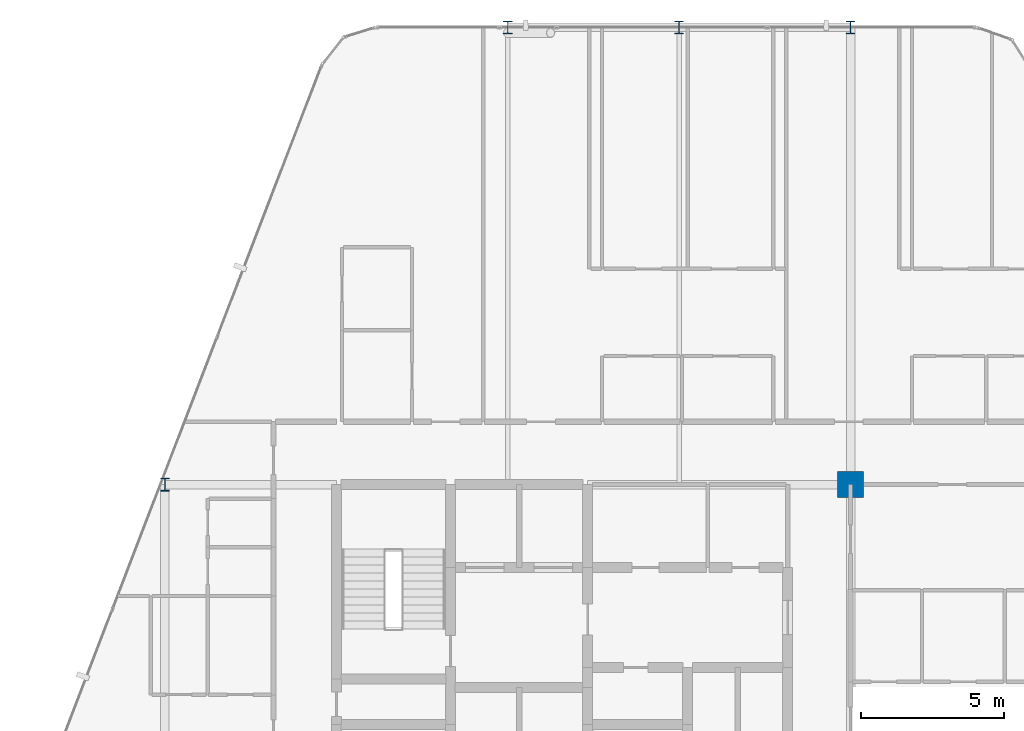
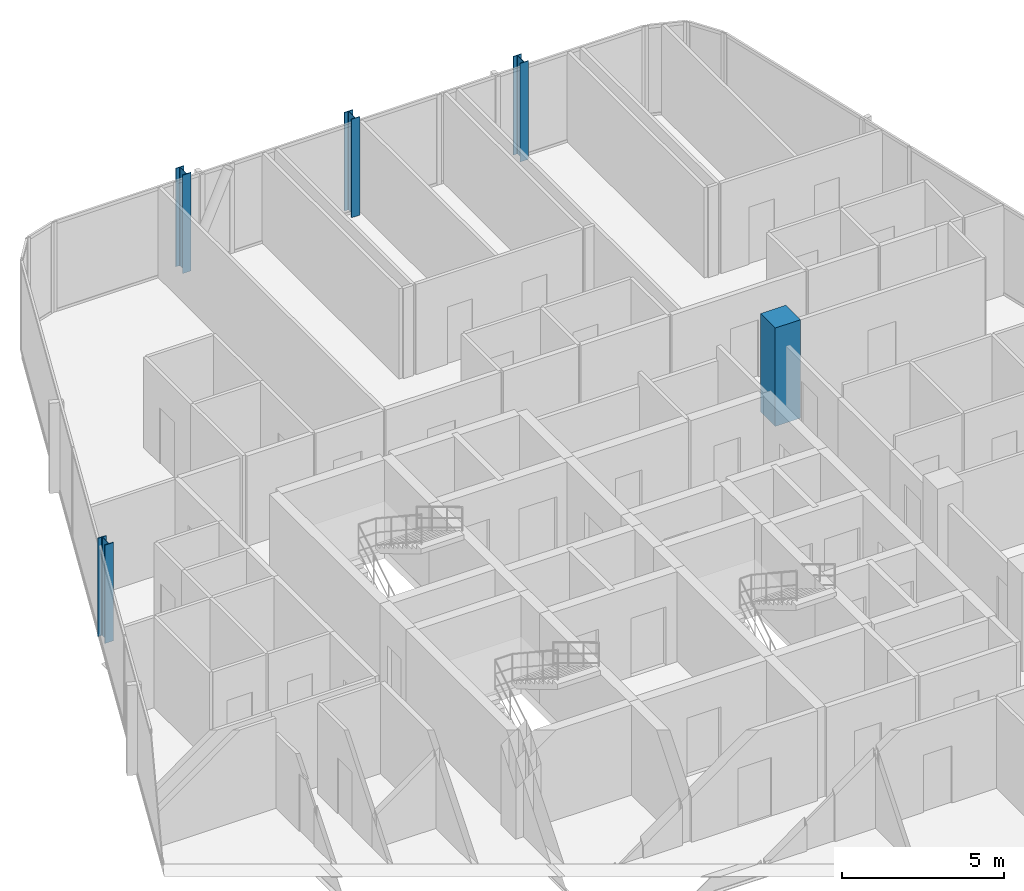
# One storey, part 3 of 29: 5 columns.
"""IFC4 building model written with IfcOpenShell, lengths in metres."""

from ifc_helpers import new_model, si_unit, direction, frame, origin, origin_2d, place, context, subcontext, project, spatial, rectangle, i_section, extrude, material, material_profile, profile_set, type_object, element, save


model = new_model("IFC4")

# Units and contexts
model_context = context("Model", 3, precision=1e-05, world=origin(), true_north=direction((0.0, 1.0)))
body_context = subcontext(model_context, "Body", "Model", "MODEL_VIEW")
ifc_project = project(units=[si_unit("LENGTHUNIT", "METRE"), si_unit("AREAUNIT", "SQUARE_METRE"), si_unit("VOLUMEUNIT", "CUBIC_METRE"), si_unit("PLANEANGLEUNIT", "RADIAN"), si_unit("MASSUNIT", "GRAM", prefix="KILO")], contexts=[model_context])

# Site, building, storey
site_placement = place(None, origin())
site = spatial("IfcSite", under=ifc_project, at=site_placement, CompositionType="ELEMENT")
building_placement = place(site_placement, origin())
building = spatial("IfcBuilding", under=site, at=building_placement, Name="Keshet Zoharim Tower", CompositionType="ELEMENT")
storey_placement = place(building_placement, frame((0.0, 0.0, 195.800048828125)))
storey = spatial("IfcBuildingStorey", under=building, at=storey_placement, Name="L48", CompositionType="ELEMENT", Elevation=195.800048828125)

# Columns
ifc_material_1 = material(Name="Steel S355", Category="steel")
ifc_material_profile_1 = material_profile(ifc_material_1, i_section(OverallWidth=0.300048828125, OverallDepth=0.449951171875, WebThickness=0.013916015625, FlangeThickness=0.02587890625, FilletRadius=0.027099609375, at=origin_2d()), Name="HEB450")
ifc_profile_set_1 = profile_set([ifc_material_profile_1], Name="Steel S355")
column_type_1 = type_object("IfcColumnType", Name="COL-HEB450", PredefinedType="COLUMN", material=ifc_profile_set_1)
for number, where, z_axis, x_axis, name in (
    (1, (9.0, 37.89990234375, 0.0), (0.0, 0.0, 1.0), (1.0, 0.0, 0.0), "L48 Column 2H"),
    (2, (21.0, 53.89990234375, 0.0), (0.0, 0.0, 1.0), (1.0, 0.0, 0.0), "L48 Column 4L"),
    (3, (27.0, 53.89990234375, 0.0), (0.0, 0.0, 1.0), (1.0, 0.0, 0.0), "L48 Column 5L"),
    (4, (33.0, 53.89990234375, 0.0), (0.0, 0.0, 1.0), (1.0, 0.0, 0.0), "L48 Column 6L"),
):
    element("IfcColumn", number, at=place(storey_placement, frame(where, z_axis=z_axis, x_axis=x_axis)), inside=storey, type_object=column_type_1, Name=name, PredefinedType="COLUMN", context=body_context, shape_type="SweptSolid", body=[
        extrude(i_section(OverallWidth=0.300048828125, OverallDepth=0.449951171875, WebThickness=0.013916015625, FlangeThickness=0.02587890625, FilletRadius=0.027099609375, at=origin_2d()), origin(), (0.0, 0.0, 1.0), 3.699951171875),
    ])
ifc_material_2 = material(Name="Concrete C60/75", Category="concrete")
ifc_material_profile_2 = material_profile(ifc_material_2, rectangle(XDim=0.89990234375, YDim=0.89990234375, at=origin_2d()), Name="RC900x900")
ifc_profile_set_2 = profile_set([ifc_material_profile_2], Name="Concrete C60/75")
column_type_2 = type_object("IfcColumnType", Name="COL-RC900", PredefinedType="COLUMN", material=ifc_profile_set_2)
column_placement = place(storey_placement, frame((33.0, 37.89990234375, 0.0), z_axis=(0.0, 0.0, 1.0), x_axis=(1.0, 0.0, 0.0)))
element("IfcColumn", 5, at=column_placement, inside=storey, type_object=column_type_2, Name="L48 Column 6H", PredefinedType="COLUMN", context=body_context, shape_type="SweptSolid", body=[
    extrude(rectangle(XDim=0.89990234375, YDim=0.89990234375, at=origin_2d()), origin(), (0.0, 0.0, 1.0), 3.699951171875),
])

save(model, "model.ifc")
